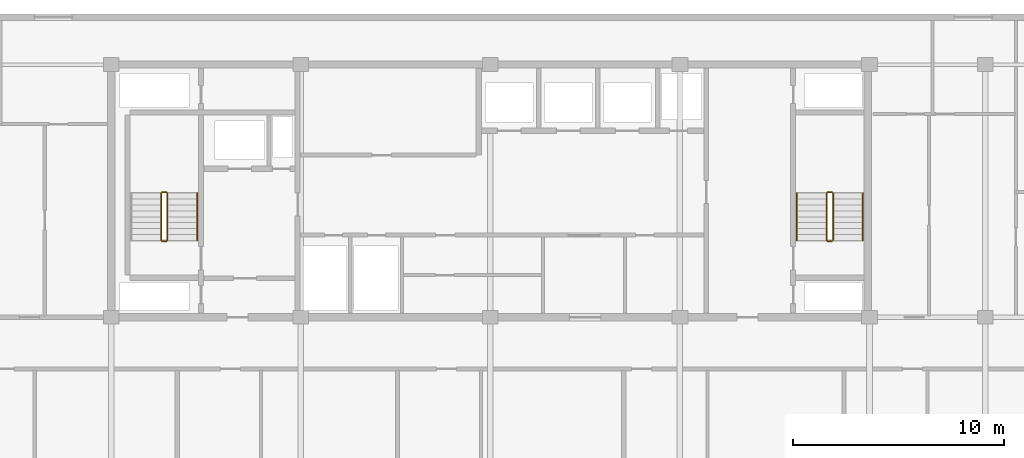
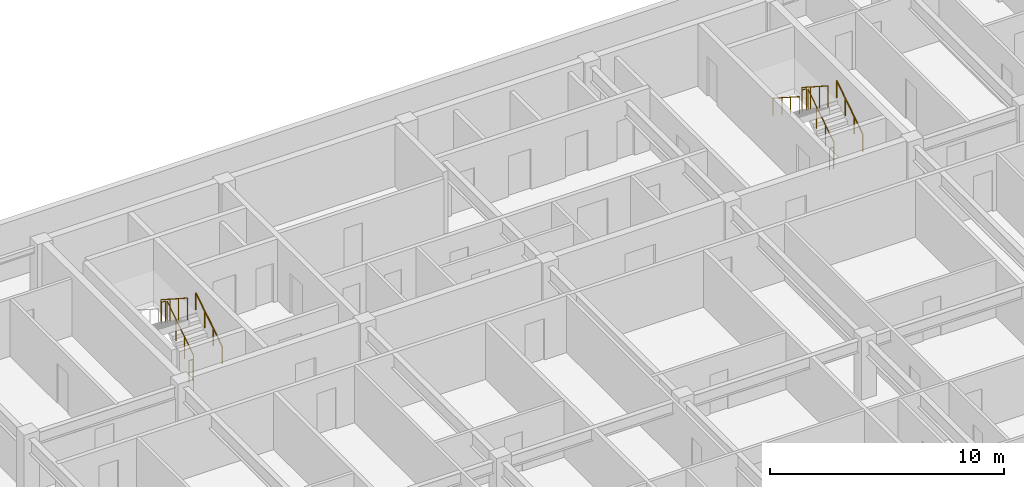
# One storey, part 18 of 21: 11 railings.
"""IFC4 building model written with IfcOpenShell, lengths in metres."""

from ifc_helpers import new_model, si_unit, direction, frame, origin, origin_2d, place, context, subcontext, project, spatial, circle, extrude, material, type_object, element, save


model = new_model("IFC4")

# Units and contexts
model_context = context("Model", 3, precision=1e-05, world=origin(), true_north=direction((0.0, 1.0)))
body_context = subcontext(model_context, "Body", "Model", "MODEL_VIEW")
ifc_project = project(units=[si_unit("LENGTHUNIT", "METRE"), si_unit("AREAUNIT", "SQUARE_METRE"), si_unit("VOLUMEUNIT", "CUBIC_METRE"), si_unit("PLANEANGLEUNIT", "RADIAN"), si_unit("MASSUNIT", "GRAM", prefix="KILO")], contexts=[model_context])

# Site, building, storey
site_placement = place(None, origin())
site = spatial("IfcSite", under=ifc_project, at=site_placement, CompositionType="ELEMENT")
building_placement = place(site_placement, origin())
building = spatial("IfcBuilding", under=site, at=building_placement, Name="Korimba Cascade Residences", CompositionType="ELEMENT")
storey_placement = place(building_placement, frame((0.0, 0.0, 171.85009765625)))
storey = spatial("IfcBuildingStorey", under=building, at=storey_placement, Name="L49", CompositionType="ELEMENT", Elevation=171.85009765625)

# Railings
ifc_material_1 = material(Name="Painted Steel Stairwell Guardrail", Category="steel")
railing_type_1 = type_object("IfcRailingType", Name="RLG-ST-GD1150", PredefinedType="GUARDRAIL", material=ifc_material_1)
railing_1_placement = place(storey_placement, frame((84.77001953125, 22.050048828125, 0.180419921875)))
element("IfcRailing", 1, at=railing_1_placement, inside=storey, type_object=railing_type_1, Name="L49 ST-E1 stair guard 1", PredefinedType="GUARDRAIL", context=body_context, shape_type="SweptSolid", body=[
    extrude(circle(Radius=0.02392578125, at=origin_2d()), frame((0.0, 0.0, 1.1259765625), z_axis=(0.0, 0.840394893359, 0.541974559565), x_axis=(-1.0, 0.0, 0.0)), (0.0, 0.0, 1.0), 2.665283203125),
    extrude(circle(Radius=0.02099609375, at=origin_2d()), origin(), (0.0, 0.0, 1.0), 1.101806640625),
    extrude(circle(Radius=0.02099609375, at=origin_2d()), frame((0.0, 0.74658203125, 0.4814453125)), (0.0, 0.0, 1.0), 1.101806640625),
    extrude(circle(Radius=0.02099609375, at=origin_2d()), frame((0.0, 1.493408203125, 0.963134765625)), (0.0, 0.0, 1.0), 1.101806640625),
    extrude(circle(Radius=0.02099609375, at=origin_2d()), frame((0.0, 2.239990234375, 1.444580078125)), (0.0, 0.0, 1.0), 1.101806640625),
])
railing_2_placement = place(storey_placement, frame((84.719970703125, 24.340087890625, 1.625)))
element("IfcRailing", 2, at=railing_2_placement, inside=storey, type_object=railing_type_1, Name="L49 ST-E1 stair guard 2", PredefinedType="GUARDRAIL", context=body_context, shape_type="SweptSolid", body=[
    extrude(circle(Radius=0.02392578125, at=origin_2d()), frame((0.0, 0.0, 1.1259765625), z_axis=(-1.0, 0.0, 0.0), x_axis=(0.0, -1.0, 0.0)), (0.0, 0.0, 1.0), 0.199951171875),
    extrude(circle(Radius=0.02099609375, at=origin_2d()), origin(), (0.0, 0.0, 1.0), 1.101806640625),
    extrude(circle(Radius=0.02099609375, at=origin_2d()), frame((-0.199951171875, 0.0, 0.0)), (0.0, 0.0, 1.0), 1.101806640625),
])
railing_3_placement = place(storey_placement, frame((84.469970703125, 24.2900390625, 1.805419921875)))
element("IfcRailing", 3, at=railing_3_placement, inside=storey, type_object=railing_type_1, Name="L49 ST-E1 stair guard 3", PredefinedType="GUARDRAIL", context=body_context, shape_type="SweptSolid", body=[
    extrude(circle(Radius=0.02392578125, at=origin_2d()), frame((0.0, 0.0, 1.1259765625), z_axis=(0.0, -0.840394893359, 0.541974559565), x_axis=(1.0, 0.0, 0.0)), (0.0, 0.0, 1.0), 2.665283203125),
    extrude(circle(Radius=0.02099609375, at=origin_2d()), origin(), (0.0, 0.0, 1.0), 1.101806640625),
    extrude(circle(Radius=0.02099609375, at=origin_2d()), frame((0.0, -0.74658203125, 0.4814453125)), (0.0, 0.0, 1.0), 1.101806640625),
    extrude(circle(Radius=0.02099609375, at=origin_2d()), frame((0.0, -1.493408203125, 0.963134765625)), (0.0, 0.0, 1.0), 1.101806640625),
    extrude(circle(Radius=0.02099609375, at=origin_2d()), frame((0.0, -2.239990234375, 1.444580078125)), (0.0, 0.0, 1.0), 1.101806640625),
])
railing_4_placement = place(storey_placement, frame((84.719970703125, 22.0, 0.0)))
element("IfcRailing", 4, at=railing_4_placement, inside=storey, type_object=railing_type_1, Name="L49 ST-E1 stair guard 4", PredefinedType="GUARDRAIL", context=body_context, shape_type="SweptSolid", body=[
    extrude(circle(Radius=0.02392578125, at=origin_2d()), frame((0.0, 0.0, 1.1259765625), z_axis=(-1.0, 0.0, 0.0), x_axis=(0.0, -1.0, 0.0)), (0.0, 0.0, 1.0), 0.199951171875),
    extrude(circle(Radius=0.02099609375, at=origin_2d()), origin(), (0.0, 0.0, 1.0), 1.101806640625),
    extrude(circle(Radius=0.02099609375, at=origin_2d()), frame((-0.199951171875, 0.0, 0.0)), (0.0, 0.0, 1.0), 1.101806640625),
])
railing_5_placement = place(storey_placement, frame((116.3701171875, 22.050048828125, 0.180419921875)))
element("IfcRailing", 5, at=railing_5_placement, inside=storey, type_object=railing_type_1, Name="L49 ST-E2 stair guard 1", PredefinedType="GUARDRAIL", context=body_context, shape_type="SweptSolid", body=[
    extrude(circle(Radius=0.02392578125, at=origin_2d()), frame((0.0, 0.0, 1.1259765625), z_axis=(0.0, 0.840394893359, 0.541974559565), x_axis=(-1.0, 0.0, 0.0)), (0.0, 0.0, 1.0), 2.665283203125),
    extrude(circle(Radius=0.02099609375, at=origin_2d()), origin(), (0.0, 0.0, 1.0), 1.101806640625),
    extrude(circle(Radius=0.02099609375, at=origin_2d()), frame((0.0, 0.74658203125, 0.4814453125)), (0.0, 0.0, 1.0), 1.101806640625),
    extrude(circle(Radius=0.02099609375, at=origin_2d()), frame((0.0, 1.493408203125, 0.963134765625)), (0.0, 0.0, 1.0), 1.101806640625),
    extrude(circle(Radius=0.02099609375, at=origin_2d()), frame((0.0, 2.239990234375, 1.444580078125)), (0.0, 0.0, 1.0), 1.101806640625),
])
railing_6_placement = place(storey_placement, frame((116.320068359375, 24.340087890625, 1.625)))
element("IfcRailing", 6, at=railing_6_placement, inside=storey, type_object=railing_type_1, Name="L49 ST-E2 stair guard 2", PredefinedType="GUARDRAIL", context=body_context, shape_type="SweptSolid", body=[
    extrude(circle(Radius=0.02392578125, at=origin_2d()), frame((0.0, 0.0, 1.1259765625), z_axis=(-1.0, 0.0, 0.0), x_axis=(0.0, -1.0, 0.0)), (0.0, 0.0, 1.0), 0.199951171875),
    extrude(circle(Radius=0.02099609375, at=origin_2d()), origin(), (0.0, 0.0, 1.0), 1.101806640625),
    extrude(circle(Radius=0.02099609375, at=origin_2d()), frame((-0.199951171875, 0.0, 0.0)), (0.0, 0.0, 1.0), 1.101806640625),
])
railing_7_placement = place(storey_placement, frame((116.070068359375, 24.2900390625, 1.805419921875)))
element("IfcRailing", 7, at=railing_7_placement, inside=storey, type_object=railing_type_1, Name="L49 ST-E2 stair guard 3", PredefinedType="GUARDRAIL", context=body_context, shape_type="SweptSolid", body=[
    extrude(circle(Radius=0.02392578125, at=origin_2d()), frame((0.0, 0.0, 1.1259765625), z_axis=(0.0, -0.840394893359, 0.541974559565), x_axis=(1.0, 0.0, 0.0)), (0.0, 0.0, 1.0), 2.665283203125),
    extrude(circle(Radius=0.02099609375, at=origin_2d()), origin(), (0.0, 0.0, 1.0), 1.101806640625),
    extrude(circle(Radius=0.02099609375, at=origin_2d()), frame((0.0, -0.74658203125, 0.4814453125)), (0.0, 0.0, 1.0), 1.101806640625),
    extrude(circle(Radius=0.02099609375, at=origin_2d()), frame((0.0, -1.493408203125, 0.963134765625)), (0.0, 0.0, 1.0), 1.101806640625),
    extrude(circle(Radius=0.02099609375, at=origin_2d()), frame((0.0, -2.239990234375, 1.444580078125)), (0.0, 0.0, 1.0), 1.101806640625),
])
railing_8_placement = place(storey_placement, frame((116.320068359375, 22.0, 0.0)))
element("IfcRailing", 8, at=railing_8_placement, inside=storey, type_object=railing_type_1, Name="L49 ST-E2 stair guard 4", PredefinedType="GUARDRAIL", context=body_context, shape_type="SweptSolid", body=[
    extrude(circle(Radius=0.02392578125, at=origin_2d()), frame((0.0, 0.0, 1.1259765625), z_axis=(-1.0, 0.0, 0.0), x_axis=(0.0, -1.0, 0.0)), (0.0, 0.0, 1.0), 0.199951171875),
    extrude(circle(Radius=0.02099609375, at=origin_2d()), origin(), (0.0, 0.0, 1.0), 1.101806640625),
    extrude(circle(Radius=0.02099609375, at=origin_2d()), frame((-0.199951171875, 0.0, 0.0)), (0.0, 0.0, 1.0), 1.101806640625),
])
ifc_material_2 = material(Name="Brushed Stainless Steel Handrail", Category="steel")
railing_type_2 = type_object("IfcRailingType", Name="RLG-ST-HR900", PredefinedType="HANDRAIL", material=ifc_material_2)
for number, where, name in (
    (9, (86.18994140625, 22.050048828125, 0.36474609375), "L49 ST-E1 stair handrail 1"),
    (10, (117.7900390625, 22.050048828125, 0.36474609375), "L49 ST-E2 stair handrail 1"),
):
    element("IfcRailing", number, at=place(storey_placement, frame(where)), inside=storey, type_object=railing_type_2, Name=name, PredefinedType="HANDRAIL", context=body_context, shape_type="SweptSolid", body=[
        extrude(circle(Radius=0.02392578125, at=origin_2d()), frame((0.0, 0.0, 0.8759765625), z_axis=(0.0, 0.840394893359, 0.541974559565), x_axis=(-1.0, 0.0, 0.0)), (0.0, 0.0, 1.0), 2.665283203125),
        extrude(circle(Radius=0.02099609375, at=origin_2d()), origin(), (0.0, 0.0, 1.0), 0.851806640625),
        extrude(circle(Radius=0.02099609375, at=origin_2d()), frame((0.0, 0.74658203125, 0.4814453125)), (0.0, 0.0, 1.0), 0.851806640625),
        extrude(circle(Radius=0.02099609375, at=origin_2d()), frame((0.0, 1.493408203125, 0.963134765625)), (0.0, 0.0, 1.0), 0.851806640625),
        extrude(circle(Radius=0.02099609375, at=origin_2d()), frame((0.0, 2.239990234375, 1.444580078125)), (0.0, 0.0, 1.0), 0.851806640625),
    ])
railing_9_placement = place(storey_placement, frame((114.64990234375, 24.2900390625, 1.98974609375)))
element("IfcRailing", 11, at=railing_9_placement, inside=storey, type_object=railing_type_2, Name="L49 ST-E2 stair handrail 2", PredefinedType="HANDRAIL", context=body_context, shape_type="SweptSolid", body=[
    extrude(circle(Radius=0.02392578125, at=origin_2d()), frame((0.0, 0.0, 0.8759765625), z_axis=(0.0, -0.840394893359, 0.541974559565), x_axis=(1.0, 0.0, 0.0)), (0.0, 0.0, 1.0), 2.665283203125),
    extrude(circle(Radius=0.02099609375, at=origin_2d()), origin(), (0.0, 0.0, 1.0), 0.851806640625),
    extrude(circle(Radius=0.02099609375, at=origin_2d()), frame((0.0, -0.74658203125, 0.4814453125)), (0.0, 0.0, 1.0), 0.851806640625),
    extrude(circle(Radius=0.02099609375, at=origin_2d()), frame((0.0, -1.493408203125, 0.963134765625)), (0.0, 0.0, 1.0), 0.851806640625),
    extrude(circle(Radius=0.02099609375, at=origin_2d()), frame((0.0, -2.239990234375, 1.444580078125)), (0.0, 0.0, 1.0), 0.851806640625),
])

save(model, "model.ifc")
